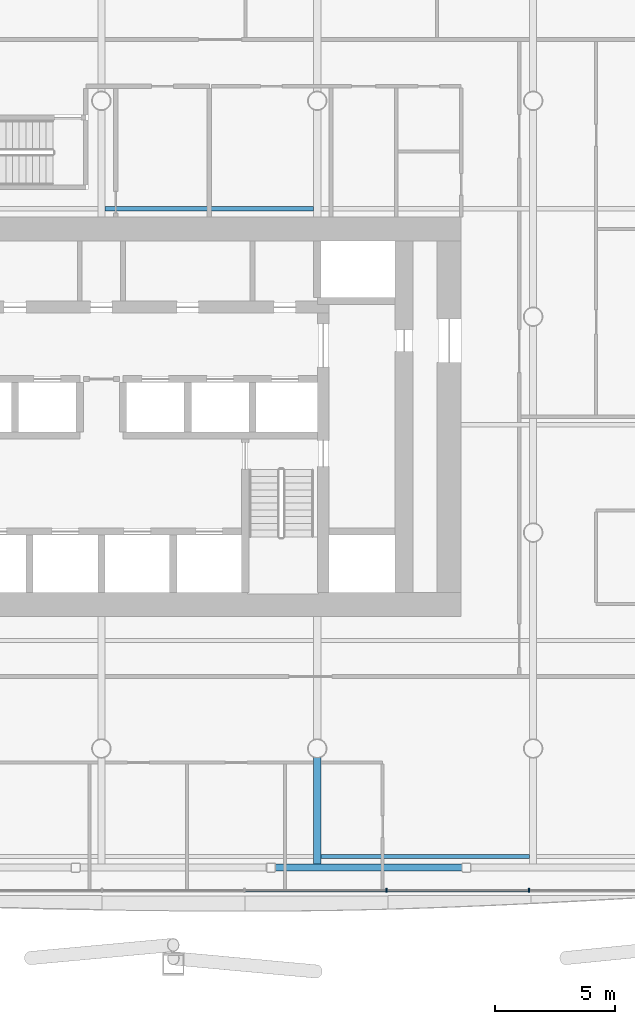
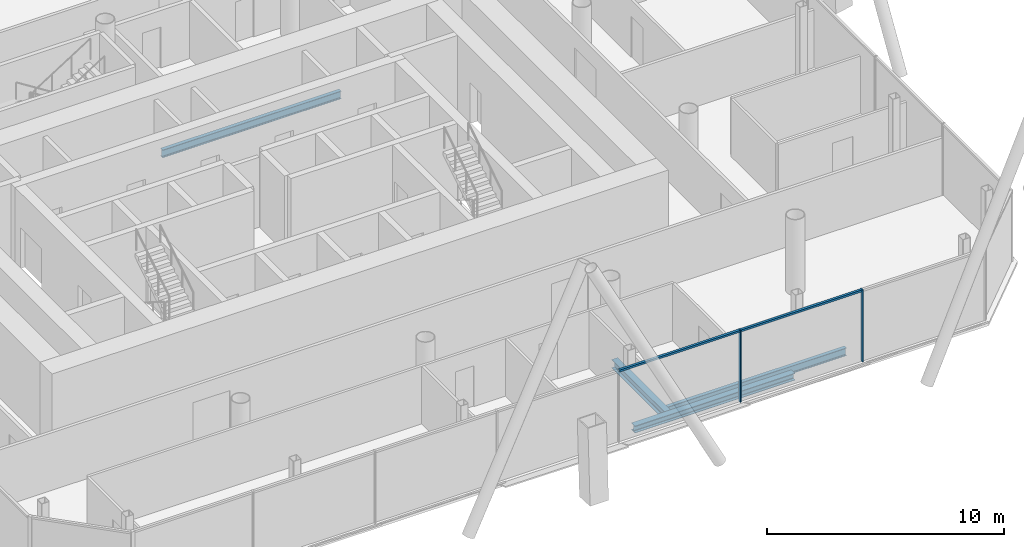
# One storey, part 6 of 22: 4 beams, 4 members, 1 element without a shape of its own.
"""IFC4 building model written with IfcOpenShell, lengths in metres."""

import ifcopenshell
import ifcopenshell.guid

model = None  # the IFC model being written
_history = None  # IfcOwnerHistory: only IFC2X3 demands one
_inside = {}  # id of a spatial element -> (the spatial element, [elements in it])
_under = {}  # id of a project, library or spatial element -> (it, [spatial elements below it])
_declared = {}  # id of a project -> (the project, [libraries it declares])
_typed = {}  # id of a type object -> (the type object, [elements of that type])
_made_of = {}  # id of a material, layer set ... -> (it, [elements and type objects made of it])


def new_model(schema):
    """Start an empty IFC model of exactly this schema.

    Asked for "IFC4X3", IfcOpenShell would pick the latest addendum, in which some entities
    have other attributes; the version numbers below select the first issue.
    IFC2X3 requires an IfcOwnerHistory on every rooted entity: one is made here for all.
    """
    global model, _history
    if schema == "IFC4X3":
        model = ifcopenshell.file(schema_version=(4, 3, 0, 0))
    else:
        model = ifcopenshell.file(schema=schema)
    _inside.clear()
    _under.clear()
    _declared.clear()
    _typed.clear()
    _made_of.clear()
    _history = None
    if model.schema == "IFC2X3":
        org = make("IfcOrganization", Name="unknown")
        user = make(
            "IfcPersonAndOrganization",
            ThePerson=make("IfcPerson", FamilyName="unknown"),
            TheOrganization=org,
        )
        app = make(
            "IfcApplication",
            ApplicationDeveloper=org,
            Version="unknown",
            ApplicationFullName="unknown",
            ApplicationIdentifier="unknown",
        )
        _history = make(
            "IfcOwnerHistory",
            OwningUser=user,
            OwningApplication=app,
            ChangeAction="ADDED",
            CreationDate=0,
        )
    return model


def make(cls, **values):
    """One entity of the class cls with the attributes given. An attribute that is None is left unset."""
    return model.create_entity(
        cls, **{name: value for name, value in values.items() if value is not None}
    )


def rooted(cls, **values):
    """An entity with a GlobalId (a new one), such as an element, a storey or a relation."""
    return make(cls, GlobalId=ifcopenshell.guid.new(), OwnerHistory=_history, **values)


def si_unit(unit_type, name, prefix=None):
    """IfcSIUnit, for example si_unit("LENGTHUNIT", "METRE", prefix="MILLI")."""
    return make("IfcSIUnit", UnitType=unit_type, Prefix=prefix, Name=name)


def assignment(units):
    """IfcUnitAssignment: the units of a project."""
    return None if units is None else make("IfcUnitAssignment", Units=units)


def point(xyz):
    """IfcCartesianPoint."""
    return None if xyz is None else make("IfcCartesianPoint", Coordinates=xyz)


def direction(xyz):
    """IfcDirection."""
    return None if xyz is None else make("IfcDirection", DirectionRatios=xyz)


def frame(location, z_axis=None, x_axis=None):
    """IfcAxis2Placement3D, a coordinate frame: its origin and axes. An axis left out is left unset."""
    return make(
        "IfcAxis2Placement3D",
        Location=point(location),
        Axis=direction(z_axis),
        RefDirection=direction(x_axis),
    )


def frame_2d(location, x_axis=None):
    """IfcAxis2Placement2D, a coordinate frame in the plane: its origin and x axis."""
    return make(
        "IfcAxis2Placement2D", Location=point(location), RefDirection=direction(x_axis)
    )


def origin():
    """The frame at (0, 0, 0) with its axes left unset."""
    return frame((0.0, 0.0, 0.0))


def origin_2d():
    """The frame at (0, 0) in the plane with its x axis left unset."""
    return frame_2d((0.0, 0.0))


def place(relative_to, where):
    """IfcLocalPlacement: puts the frame where relative to a parent placement (None: the world)."""
    return make(
        "IfcLocalPlacement", PlacementRelTo=relative_to, RelativePlacement=where
    )


def context(
    kind, dimensions, precision=None, world=None, true_north=None, identifier=None
):
    """IfcGeometricRepresentationContext, for example the 3D "Model" context."""
    return make(
        "IfcGeometricRepresentationContext",
        ContextIdentifier=identifier,
        ContextType=kind,
        CoordinateSpaceDimension=dimensions,
        Precision=precision,
        WorldCoordinateSystem=world,
        TrueNorth=true_north,
    )


def subcontext(parent, identifier, kind, view, scale=None):
    """IfcGeometricRepresentationSubContext, for example "Body" below "Model"."""
    return make(
        "IfcGeometricRepresentationSubContext",
        ContextIdentifier=identifier,
        ContextType=kind,
        ParentContext=parent,
        TargetScale=scale,
        TargetView=view,
    )


def project(units=None, contexts=None):
    """IfcProject with its units and contexts."""
    return rooted(
        "IfcProject",
        Name="project",
        RepresentationContexts=contexts,
        UnitsInContext=assignment(units),
    )


def spatial(cls, under=None, at=None, **own):
    """A site, building, storey or space (cls), placed at a placement, below another one or the project."""
    s = rooted(cls, ObjectPlacement=at, **own)
    if under is not None:
        _under.setdefault(under.id(), (under, []))[1].append(s)
    return s


def profile(cls, at=None, kind="AREA", **sizes):
    """A parametric profile (cls). Its sizes go by their IFC names, for example OverallWidth=200.0."""
    return make(cls, ProfileType=kind, Position=at, **sizes)


def rectangle(**sizes):
    """IfcRectangleProfileDef."""
    return profile("IfcRectangleProfileDef", **sizes)


def i_section(**sizes):
    """IfcIShapeProfileDef."""
    return profile("IfcIShapeProfileDef", **sizes)


def extrude(swept, where, along, depth):
    """IfcExtrudedAreaSolid: the profile swept, set in the frame where, extruded along a direction by depth."""
    return make(
        "IfcExtrudedAreaSolid",
        SweptArea=swept,
        Position=where,
        ExtrudedDirection=direction(along),
        Depth=depth,
    )


def shape(context_of_items, identifier, shape_type, items):
    """IfcShapeRepresentation: the items that make up one representation, for example the "Body"."""
    return make(
        "IfcShapeRepresentation",
        ContextOfItems=context_of_items,
        RepresentationIdentifier=identifier,
        RepresentationType=shape_type,
        Items=items,
    )


def material(Name=None, Category=None):
    """IfcMaterial."""
    return make("IfcMaterial", Name=Name, Category=Category)


def material_profile(
    of_material, cross_section, Name=None, Category=None, Priority=None
):
    """IfcMaterialProfile: a cross section and its material."""
    return make(
        "IfcMaterialProfile",
        Name=Name,
        Material=of_material,
        Profile=cross_section,
        Priority=Priority,
        Category=Category,
    )


def profile_set(profiles, Name=None, composite=None):
    """IfcMaterialProfileSet."""
    return make(
        "IfcMaterialProfileSet",
        Name=Name,
        MaterialProfiles=profiles,
        CompositeProfile=composite,
    )


def made_of(thing, what):
    """Note that an element or type object is made of a material, layer set ...; save() writes the relation."""
    if what is not None:
        _made_of.setdefault(what.id(), (what, []))[1].append(thing)
    return thing


def type_object(cls, material=None, **own):
    """A type object (cls), such as IfcWallType, which elements share."""
    return made_of(rooted(cls, **own), material)


def element(
    cls,
    number,
    at=None,
    inside=None,
    cuts=None,
    type_object=None,
    material=None,
    context=None,
    identifier="Body",
    shape_type=None,
    held_by="IfcProductDefinitionShape",
    body=None,
    shapes=None,
    **own,
):
    """One element of the class cls, such as IfcWall. Its Tag is "e" and its number.

    at: its placement. inside: the storey or other place that contains it. cuts: it is an
    opening in that element (IfcRelVoidsElement). A single representation is given by context,
    identifier, shape_type and body (its items); several are given by shapes. held_by: the class
    of the entity that holds the representations. save() writes the other relations.
    """
    e = rooted(cls, Tag="e%d" % number, ObjectPlacement=at, **own)
    if body is not None:
        shapes = [shape(context, identifier, shape_type, body)]
    if shapes is not None:
        e.Representation = make(held_by, Representations=shapes)
    if inside is not None:
        _inside.setdefault(inside.id(), (inside, []))[1].append(e)
    if cuts is not None:
        rooted(
            "IfcRelVoidsElement", RelatingBuildingElement=cuts, RelatedOpeningElement=e
        )
    if type_object is not None:
        _typed.setdefault(type_object.id(), (type_object, []))[1].append(e)
    return made_of(e, material)


def aggregate(whole, parts):
    """IfcRelAggregates: a whole, such as a stair, and the parts it consists of."""
    return rooted("IfcRelAggregates", RelatingObject=whole, RelatedObjects=parts)


def save(model, path):
    """Write the relations noted so far, then the file.

    IfcRelAggregates (storeys below a building ...), IfcRelContainedInSpatialStructure (elements
    in a storey), IfcRelDefinesByType, IfcRelAssociatesMaterial and IfcRelDeclares: one each for
    every whole, place, type object, material and project.
    """
    for whole, parts in _under.values():
        aggregate(whole, parts)
    for where, things in _inside.values():
        rooted(
            "IfcRelContainedInSpatialStructure",
            RelatedElements=things,
            RelatingStructure=where,
        )
    for kind, things in _typed.values():
        rooted("IfcRelDefinesByType", RelatedObjects=things, RelatingType=kind)
    for what, things in _made_of.values():
        rooted("IfcRelAssociatesMaterial", RelatedObjects=things, RelatingMaterial=what)
    for by, libraries in _declared.values():
        rooted("IfcRelDeclares", RelatingContext=by, RelatedDefinitions=libraries)
    model.write(path)


model = new_model("IFC4")

# Units and contexts
model_context = context("Model", 3, precision=1e-05, world=origin(), true_north=direction((0.0, 1.0)))
body_context = subcontext(model_context, "Body", "Model", "MODEL_VIEW")
ifc_project = project(units=[si_unit("LENGTHUNIT", "METRE"), si_unit("AREAUNIT", "SQUARE_METRE"), si_unit("VOLUMEUNIT", "CUBIC_METRE"), si_unit("PLANEANGLEUNIT", "RADIAN"), si_unit("MASSUNIT", "GRAM", prefix="KILO")], contexts=[model_context])

# Site, building, storey
site_placement = place(None, origin())
site = spatial("IfcSite", under=ifc_project, at=site_placement, CompositionType="ELEMENT")
building_placement = place(site_placement, origin())
building = spatial("IfcBuilding", under=site, at=building_placement, Name="Tskaro Facet Tower", CompositionType="ELEMENT")
storey_placement = place(building_placement, frame((0.0, 0.0, 97.199951171875)))
storey = spatial("IfcBuildingStorey", under=building, at=storey_placement, Name="L23", CompositionType="ELEMENT", Elevation=97.199951171875)

# Curtain wall, members
ifc_material_1 = material(Name="Bronze anodised aluminium 6063-T6", Category="aluminium")
curtain_wall_type = type_object("IfcCurtainWallType", Name="Bronze office curtain wall (FW1)", PredefinedType="NOTDEFINED", material=ifc_material_1)
curtain_wall_placement = place(storey_placement, origin())
curtain_wall = element("IfcCurtainWall", 1, at=curtain_wall_placement, inside=storey, type_object=curtain_wall_type, Name="FW1 south facet L23", PredefinedType="NOTDEFINED")
ifc_material_profile_1 = material_profile(ifc_material_1, rectangle(XDim=0.06005859375, YDim=0.159912109375, at=origin_2d()), Name="Mullion 60x160")
ifc_profile_set_1 = profile_set([ifc_material_profile_1], Name="Bronze anodised aluminium 6063-T6")
member_type_1 = type_object("IfcMemberType", Name="FW1 bronze mullion 60x160", PredefinedType="MULLION", material=ifc_profile_set_1)
member_1_placement = place(storey_placement, frame((11.895751953125, -23.9150390625, 0.0), z_axis=(0.0, 0.0, 1.0), x_axis=(1.0, 0.0, 0.0)))
member_1 = element("IfcMember", 2, at=member_1_placement, type_object=member_type_1, Name="FW1 south mullion 5", PredefinedType="MULLION", context=body_context, shape_type="SweptSolid", body=[
    extrude(rectangle(XDim=0.06005859375, YDim=0.159912109375, at=origin_2d()), origin(), (0.0, 0.0, 1.0), 3.699951171875),
])
member_2_placement = place(storey_placement, frame((17.826416015625, -23.9150390625, 0.0), z_axis=(0.0, 0.0, 1.0), x_axis=(1.0, 0.0, 0.0)))
member_2 = element("IfcMember", 3, at=member_2_placement, type_object=member_type_1, Name="FW1 south mullion 6", PredefinedType="MULLION", context=body_context, shape_type="SweptSolid", body=[
    extrude(rectangle(XDim=0.06005859375, YDim=0.159912109375, at=origin_2d()), origin(), (0.0, 0.0, 1.0), 3.699951171875),
])
ifc_material_profile_2 = material_profile(ifc_material_1, rectangle(XDim=0.1201171875, YDim=0.10009765625, at=origin_2d()), Name="Transom 120x100")
ifc_profile_set_2 = profile_set([ifc_material_profile_2], Name="Bronze anodised aluminium 6063-T6")
member_type_2 = type_object("IfcMemberType", Name="FW1 bronze transom 120x100", PredefinedType="USERDEFINED", material=ifc_profile_set_2)
member_3_placement = place(storey_placement, frame((5.995361328125, -23.9150390625, 3.650146484375), z_axis=(1.0, 0.0, 0.0), x_axis=(0.0, 1.0, 0.0)))
member_3 = element("IfcMember", 4, at=member_3_placement, type_object=member_type_2, Name="FW1 south transom 5.1", ObjectType="TRANSOM", PredefinedType="USERDEFINED", context=body_context, shape_type="SweptSolid", body=[
    extrude(rectangle(XDim=0.1201171875, YDim=0.10009765625, at=origin_2d()), origin(), (0.0, 0.0, 1.0), 5.87060546875),
])
member_4_placement = place(storey_placement, frame((11.92578125, -23.9150390625, 3.650146484375), z_axis=(1.0, 0.0, 0.0), x_axis=(0.0, 1.0, 0.0)))
member_4 = element("IfcMember", 5, at=member_4_placement, type_object=member_type_2, Name="FW1 south transom 6.1", ObjectType="TRANSOM", PredefinedType="USERDEFINED", context=body_context, shape_type="SweptSolid", body=[
    extrude(rectangle(XDim=0.1201171875, YDim=0.10009765625, at=origin_2d()), origin(), (0.0, 0.0, 1.0), 5.87060546875),
])
aggregate(curtain_wall, [member_1, member_2, member_3, member_4])

# Beams
ifc_material_2 = material(Name="Steel S355J2", Category="steel")
ifc_material_profile_3 = material_profile(ifc_material_2, i_section(OverallWidth=0.300048828125, OverallDepth=0.360107421875, WebThickness=0.012451171875, FlangeThickness=0.0224609375, FilletRadius=0.027099609375, at=origin_2d()), Name="HE 360 B")
ifc_profile_set_3 = profile_set([ifc_material_profile_3], Name="Steel S355J2")
beam_type_1 = type_object("IfcBeamType", Name="HE 360 B ring beam", PredefinedType="BEAM", material=ifc_profile_set_3)
beam_1_placement = place(storey_placement, frame((7.2529296875, -22.965087890625, -0.320068359375), z_axis=(1.0, 0.0, 0.0), x_axis=(0.0, 1.0, 0.0)))
element("IfcBeam", 6, at=beam_1_placement, inside=storey, type_object=beam_type_1, Name="HE 360 B EB4-2", PredefinedType="BEAM", context=body_context, shape_type="SweptSolid", body=[
    extrude(i_section(OverallWidth=0.300048828125, OverallDepth=0.360107421875, WebThickness=0.012451171875, FlangeThickness=0.0224609375, FilletRadius=0.027099609375, at=origin_2d()), origin(), (0.0, 0.0, 1.0), 7.78515625),
])
ifc_material_profile_4 = material_profile(ifc_material_2, i_section(OverallWidth=0.300048828125, OverallDepth=0.43994140625, WebThickness=0.011474609375, FlangeThickness=0.02099609375, FilletRadius=0.027099609375, at=origin_2d()), Name="HE 450 A")
ifc_profile_set_4 = profile_set([ifc_material_profile_4], Name="Steel S355J2")
beam_type_2 = type_object("IfcBeamType", Name="HE 450 A girder", PredefinedType="BEAM", material=ifc_profile_set_4)
beam_2_placement = place(storey_placement, frame((9.0, -22.81494140625, -0.35986328125), z_axis=(0.0, 1.0, 0.0), x_axis=(-1.0, 0.0, 0.0)))
element("IfcBeam", 7, at=beam_2_placement, inside=storey, type_object=beam_type_2, Name="HE 450 A GB5-1-2", PredefinedType="BEAM", context=body_context, shape_type="SweptSolid", body=[
    extrude(i_section(OverallWidth=0.300048828125, OverallDepth=0.43994140625, WebThickness=0.011474609375, FlangeThickness=0.02099609375, FilletRadius=0.027099609375, at=origin_2d()), origin(), (0.0, 0.0, 1.0), 4.4384765625),
])
ifc_material_profile_5 = material_profile(ifc_material_2, i_section(OverallWidth=0.179931640625, OverallDepth=0.39990234375, WebThickness=0.008544921875, FlangeThickness=0.013427734375, FilletRadius=0.02099609375, at=origin_2d()), Name="IPE 400")
ifc_profile_set_5 = profile_set([ifc_material_profile_5], Name="Steel S355J2")
beam_type_3 = type_object("IfcBeamType", Name="IPE 400 secondary beam", PredefinedType="BEAM", material=ifc_profile_set_5)
for number, where, z_axis, x_axis, name in (
    (8, (9.14990234375, -22.5, -0.33984375), (1.0, 0.0, 0.0), (0.0, 1.0, 0.0), "IPE 400 SB1a-4-2"),
    (9, (0.14990234375, 4.5, -0.33984375), (1.0, 0.0, 0.0), (0.0, 1.0, 0.0), "IPE 400 SB4a-3-2"),
):
    element("IfcBeam", number, at=place(storey_placement, frame(where, z_axis=z_axis, x_axis=x_axis)), inside=storey, type_object=beam_type_3, Name=name, PredefinedType="BEAM", context=body_context, shape_type="SweptSolid", body=[
        extrude(i_section(OverallWidth=0.179931640625, OverallDepth=0.39990234375, WebThickness=0.008544921875, FlangeThickness=0.013427734375, FilletRadius=0.02099609375, at=origin_2d()), origin(), (0.0, 0.0, 1.0), 8.7001953125),
    ])

save(model, "model.ifc")
